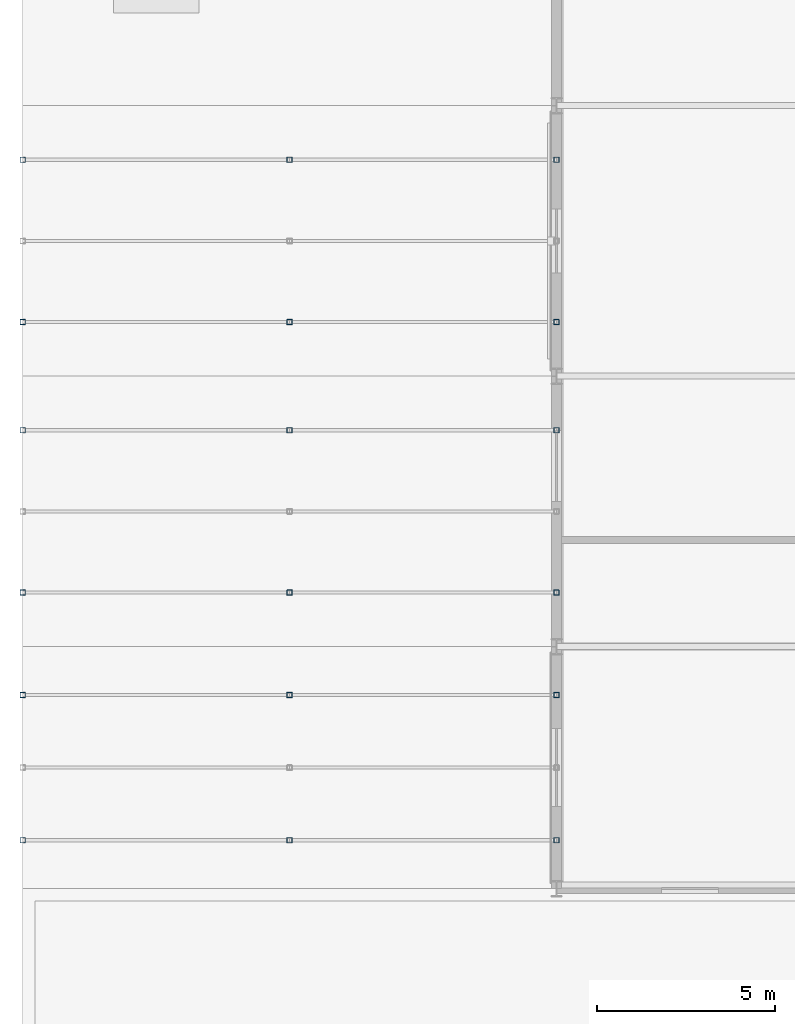
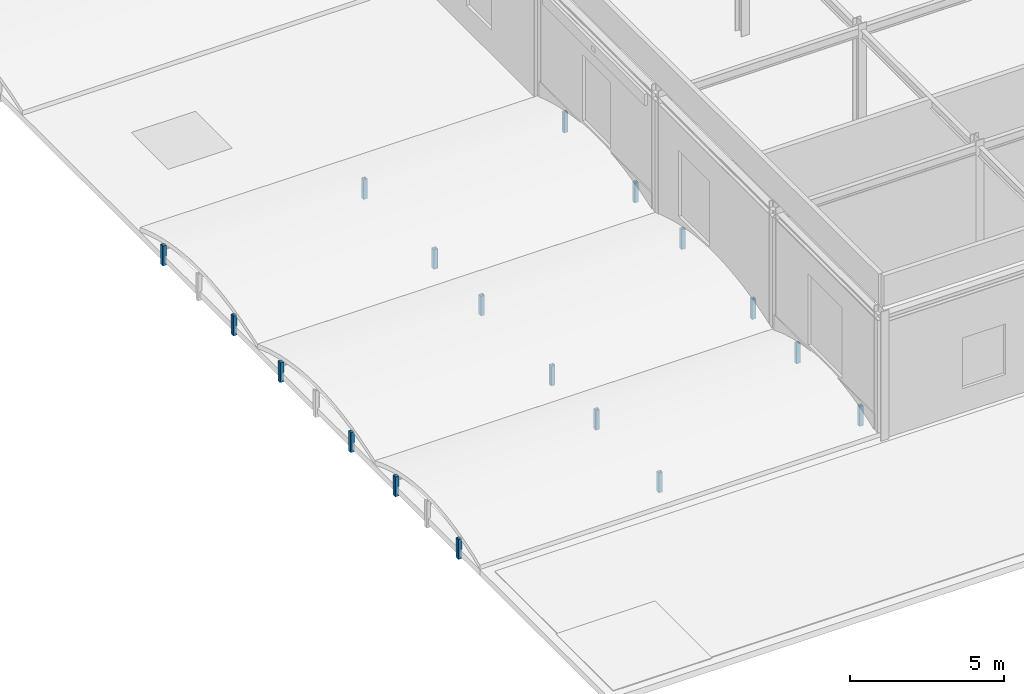
# One storey, part 76 of 113: 18 members.
"""IFC4 building model written with IfcOpenShell, lengths in metres."""

from ifc_helpers import new_model, si_unit, direction, frame, origin, origin_2d, place, context, subcontext, project, spatial, hollow_rectangle, extrude, material, material_profile, profile_set, type_object, element, save


model = new_model("IFC4")

# Units and contexts
model_context = context("Model", 3, precision=1e-05, world=origin(), true_north=direction((0.0, 1.0)))
body_context = subcontext(model_context, "Body", "Model", "MODEL_VIEW")
ifc_project = project(units=[si_unit("LENGTHUNIT", "METRE"), si_unit("AREAUNIT", "SQUARE_METRE"), si_unit("VOLUMEUNIT", "CUBIC_METRE"), si_unit("PLANEANGLEUNIT", "RADIAN"), si_unit("MASSUNIT", "GRAM", prefix="KILO")], contexts=[model_context])

# Site, building, storey
site_placement = place(None, origin())
site = spatial("IfcSite", under=ifc_project, at=site_placement, CompositionType="ELEMENT")
building_placement = place(site_placement, origin())
building = spatial("IfcBuilding", under=site, at=building_placement, Name="Shalkamar Park Central Library", CompositionType="ELEMENT")
storey_placement = place(building_placement, frame((0.0, 0.0, 5.39990234375)))
storey = spatial("IfcBuildingStorey", under=building, at=storey_placement, Name="L02", CompositionType="ELEMENT", Elevation=5.39990234375)

# Members
ifc_material = material(Name="Steel S355", Category="steel")
ifc_material_profile = material_profile(ifc_material, hollow_rectangle(XDim=0.14990234375, YDim=0.14990234375, WallThickness=0.008056640625, InnerFilletRadius=0.008056640625, OuterFilletRadius=0.011962890625, at=origin_2d()), Name="SHS 150x150x8")
ifc_profile_set = profile_set([ifc_material_profile], Name="Steel S355")
member_type = type_object("IfcMemberType", Name="Diagonal Brace SHS150", PredefinedType="BRACE", material=ifc_profile_set)
for number, where, z_axis, x_axis, name in (
    (1, (120.0, 249.760009765625, -0.35986328125), (0.0, 0.0, 1.0), (1.0, 0.0, 0.0), "Vault Arch Post BV-L01-W1-01.1"),
    (2, (120.0, 253.840087890625, -0.35986328125), (0.0, 0.0, 1.0), (1.0, 0.0, 0.0), "Vault Arch Post BV-L01-W1-01.3"),
    (3, (127.5, 249.760009765625, -0.35986328125), (0.0, 0.0, 1.0), (1.0, 0.0, 0.0), "Vault Arch Post BV-L01-W1-02.1"),
    (4, (127.5, 253.840087890625, -0.35986328125), (0.0, 0.0, 1.0), (1.0, 0.0, 0.0), "Vault Arch Post BV-L01-W1-02.3"),
    (5, (135.0, 249.760009765625, -0.35986328125), (0.0, 0.0, 1.0), (1.0, 0.0, 0.0), "Vault Arch Post BV-L01-W1-03.1"),
    (6, (135.0, 253.840087890625, -0.35986328125), (0.0, 0.0, 1.0), (1.0, 0.0, 0.0), "Vault Arch Post BV-L01-W1-03.3"),
    (7, (120.0, 256.719970703125, -0.35986328125), (0.0, 0.0, 1.0), (1.0, 0.0, 0.0), "Vault Arch Post BV-L01-W2-01.1"),
    (8, (120.0, 261.280029296875, -0.35986328125), (0.0, 0.0, 1.0), (1.0, 0.0, 0.0), "Vault Arch Post BV-L01-W2-01.3"),
    (9, (127.5, 256.719970703125, -0.35986328125), (0.0, 0.0, 1.0), (1.0, 0.0, 0.0), "Vault Arch Post BV-L01-W2-02.1"),
    (10, (127.5, 261.280029296875, -0.35986328125), (0.0, 0.0, 1.0), (1.0, 0.0, 0.0), "Vault Arch Post BV-L01-W2-02.3"),
    (11, (135.0, 256.719970703125, -0.35986328125), (0.0, 0.0, 1.0), (1.0, 0.0, 0.0), "Vault Arch Post BV-L01-W2-03.1"),
    (12, (135.0, 261.280029296875, -0.35986328125), (0.0, 0.0, 1.0), (1.0, 0.0, 0.0), "Vault Arch Post BV-L01-W2-03.3"),
    (13, (120.0, 264.320068359375, -0.35986328125), (0.0, 0.0, 1.0), (1.0, 0.0, 0.0), "Vault Arch Post BV-L01-W3-01.1"),
    (14, (120.0, 268.8798828125, -0.35986328125), (0.0, 0.0, 1.0), (1.0, 0.0, 0.0), "Vault Arch Post BV-L01-W3-01.3"),
    (15, (127.5, 264.320068359375, -0.35986328125), (0.0, 0.0, 1.0), (1.0, 0.0, 0.0), "Vault Arch Post BV-L01-W3-02.1"),
    (16, (127.5, 268.8798828125, -0.35986328125), (0.0, 0.0, 1.0), (1.0, 0.0, 0.0), "Vault Arch Post BV-L01-W3-02.3"),
    (17, (135.0, 264.320068359375, -0.35986328125), (0.0, 0.0, 1.0), (1.0, 0.0, 0.0), "Vault Arch Post BV-L01-W3-03.1"),
    (18, (135.0, 268.8798828125, -0.35986328125), (0.0, 0.0, 1.0), (1.0, 0.0, 0.0), "Vault Arch Post BV-L01-W3-03.3"),
):
    element("IfcMember", number, at=place(storey_placement, frame(where, z_axis=z_axis, x_axis=x_axis)), inside=storey, type_object=member_type, Name=name, PredefinedType="BRACE", context=body_context, shape_type="SweptSolid", body=[
        extrude(hollow_rectangle(XDim=0.14990234375, YDim=0.14990234375, WallThickness=0.008056640625, InnerFilletRadius=0.008056640625, OuterFilletRadius=0.011962890625, at=origin_2d()), origin(), (0.0, 0.0, 1.0), 0.78076171875),
    ])

save(model, "model.ifc")
